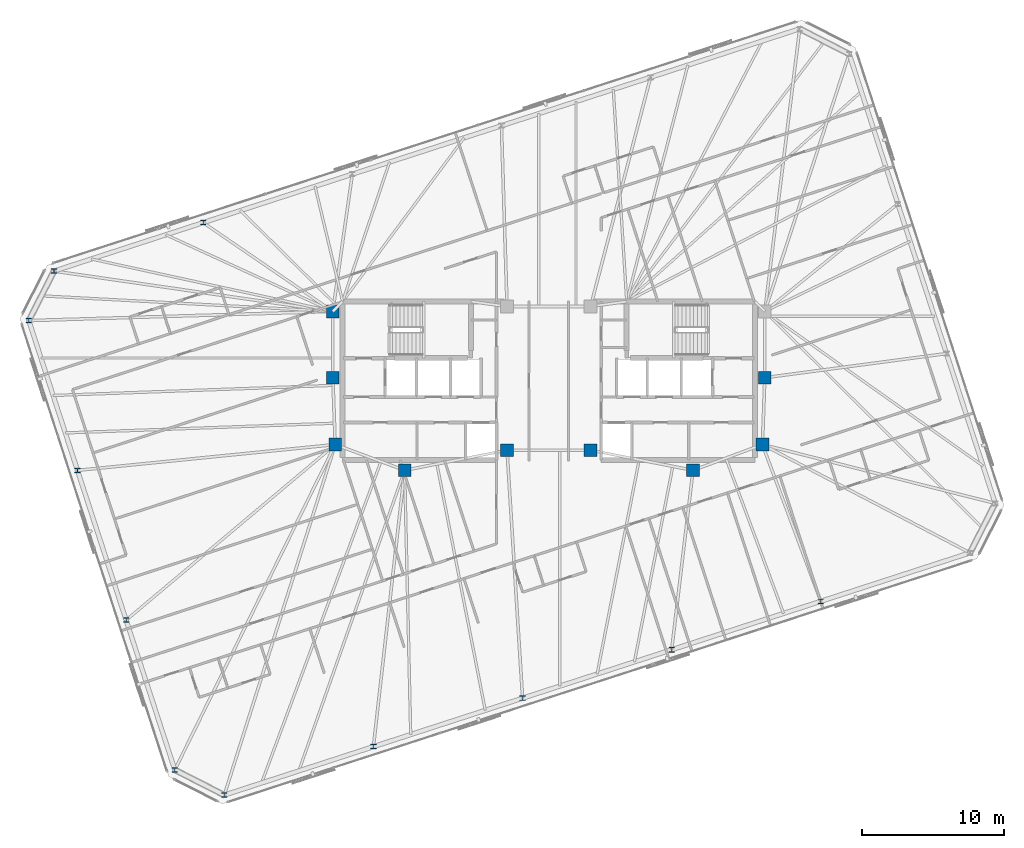
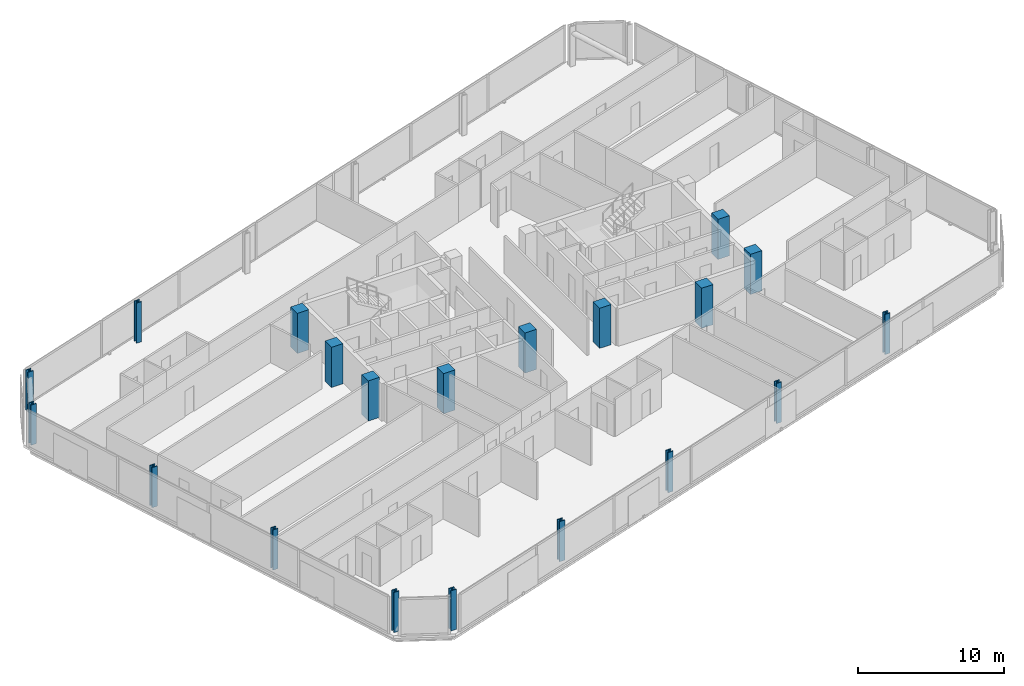
# One storey, part 1 of 19: 20 columns.
"""IFC4 building model written with IfcOpenShell, lengths in metres."""

from ifc_helpers import new_model, si_unit, direction, frame, origin, origin_2d, place, context, subcontext, project, spatial, rectangle, i_section, extrude, material, material_profile, profile_set, type_object, element, save


model = new_model("IFC4")

# Units and contexts
model_context = context("Model", 3, precision=1e-05, world=origin(), true_north=direction((0.0, 1.0)))
body_context = subcontext(model_context, "Body", "Model", "MODEL_VIEW")
ifc_project = project(units=[si_unit("LENGTHUNIT", "METRE"), si_unit("AREAUNIT", "SQUARE_METRE"), si_unit("VOLUMEUNIT", "CUBIC_METRE"), si_unit("PLANEANGLEUNIT", "RADIAN"), si_unit("MASSUNIT", "GRAM", prefix="KILO")], contexts=[model_context])

# Site, building, storey
site_placement = place(None, origin())
site = spatial("IfcSite", under=ifc_project, at=site_placement, CompositionType="ELEMENT")
building_placement = place(site_placement, origin())
building = spatial("IfcBuilding", under=site, at=building_placement, Name="Menara Jurai Vektor", CompositionType="ELEMENT")
storey_placement = place(building_placement, frame((0.0, 0.0, 214.25)))
storey = spatial("IfcBuildingStorey", under=building, at=storey_placement, Name="L56", CompositionType="ELEMENT", Elevation=214.25)

# Columns
ifc_material_1 = material(Name="Concrete C50/60", Category="concrete")
ifc_material_profile_1 = material_profile(ifc_material_1, rectangle(XDim=0.89990234375, YDim=0.89990234375, at=origin_2d()), Name="RC 900x900")
ifc_profile_set_1 = profile_set([ifc_material_profile_1], Name="Concrete C50/60")
column_type_1 = type_object("IfcColumnType", Name="STR-COL-RC900", PredefinedType="COLUMN", material=ifc_profile_set_1)
for number, where, z_axis, x_axis, name in (
    (1, (-15.25, 4.89990234375, 0.0), (0.0, 0.0, 1.0), (1.0, 0.0, 0.0), "Core Spine Column CW-NW L56"),
    (2, (-15.25, 0.219970703125, 0.0), (0.0, 0.0, 1.0), (1.0, 0.0, 0.0), "Core Spine Column CW-WM L56"),
    (3, (-15.080078125, -4.5, 0.0), (0.0, 0.0, 1.0), (1.0, 0.0, 0.0), "Core Spine Column CW-SW L56"),
    (4, (-10.179931640625, -6.320068359375, 0.0), (0.0, 0.0, 1.0), (1.0, 0.0, 0.0), "Core Spine Column CW-SM L56"),
    (5, (-2.949951171875, -4.89990234375, 0.0), (0.0, 0.0, 1.0), (1.0, 0.0, 0.0), "Core Spine Column CW-SE L56"),
    (6, (15.25, 0.219970703125, 0.0), (0.0, 0.0, 1.0), (1.0, 0.0, 0.0), "Core Spine Column CE-EM L56"),
    (7, (15.080078125, -4.5, 0.0), (0.0, 0.0, 1.0), (1.0, 0.0, 0.0), "Core Spine Column CE-SE L56"),
    (8, (10.179931640625, -6.320068359375, 0.0), (0.0, 0.0, 1.0), (1.0, 0.0, 0.0), "Core Spine Column CE-SM L56"),
    (9, (2.949951171875, -4.89990234375, 0.0), (0.0, 0.0, 1.0), (1.0, 0.0, 0.0), "Core Spine Column CE-SW L56"),
):
    element("IfcColumn", number, at=place(storey_placement, frame(where, z_axis=z_axis, x_axis=x_axis)), inside=storey, type_object=column_type_1, Name=name, PredefinedType="COLUMN", context=body_context, shape_type="SweptSolid", body=[
        extrude(rectangle(XDim=0.89990234375, YDim=0.89990234375, at=origin_2d()), origin(), (0.0, 0.0, 1.0), 3.35009765625),
    ])
ifc_material_2 = material(Name="Steel S460", Category="steel")
ifc_material_profile_2 = material_profile(ifc_material_2, i_section(OverallWidth=0.405029296875, OverallDepth=0.35498046875, WebThickness=0.0419921875, FlangeThickness=0.068115234375, FilletRadius=0.014892578125, at=origin_2d()), Name="HD 400x551")
ifc_profile_set_2 = profile_set([ifc_material_profile_2], Name="Steel S460")
column_type_2 = type_object("IfcColumnType", Name="STR-EXO-BLK4", PredefinedType="COLUMN", material=ifc_profile_set_2)
for number, where, z_axis, x_axis, name in (
    (10, (-22.912841796875, -29.2509765625, 0.0), (0.0, 0.0, 1.0), (1.0, 0.0, 0.0), "Exoskeleton Column BLK4-S1 L56"),
    (11, (-12.383544921875, -25.829833984375, 0.0), (0.0, 0.0, 1.0), (1.0, 0.0, 0.0), "Exoskeleton Column BLK4-S2 L56"),
    (12, (-1.854248046875, -22.40869140625, 0.0), (0.0, 0.0, 1.0), (1.0, 0.0, 0.0), "Exoskeleton Column BLK4-S3 L56"),
    (13, (8.675048828125, -18.987548828125, 0.0), (0.0, 0.0, 1.0), (1.0, 0.0, 0.0), "Exoskeleton Column BLK4-S4 L56"),
    (14, (19.204345703125, -15.56640625, 0.0), (0.0, 0.0, 1.0), (1.0, 0.0, 0.0), "Exoskeleton Column BLK4-S5 L56"),
    (15, (-24.404296875, 11.166259765625, 0.0), (0.0, 0.0, 1.0), (1.0, 0.0, 0.0), "Exoskeleton Column BLK4-N5 L56"),
    (16, (-34.93359375, 7.7451171875, 0.0), (0.0, 0.0, 1.0), (1.0, 0.0, 0.0), "Exoskeleton Column BLK4-N6 L56"),
    (17, (-36.71337890625, 4.251953125, 0.0), (0.0, 0.0, 1.0), (1.0, 0.0, 0.0), "Exoskeleton Column BLK4-W1 L56"),
    (18, (-33.277587890625, -6.322265625, 0.0), (0.0, 0.0, 1.0), (1.0, 0.0, 0.0), "Exoskeleton Column BLK4-W2 L56"),
    (19, (-29.841796875, -16.896728515625, 0.0), (0.0, 0.0, 1.0), (1.0, 0.0, 0.0), "Exoskeleton Column BLK4-W3 L56"),
    (20, (-26.406005859375, -27.47119140625, 0.0), (0.0, 0.0, 1.0), (1.0, 0.0, 0.0), "Exoskeleton Column BLK4-W4 L56"),
):
    element("IfcColumn", number, at=place(storey_placement, frame(where, z_axis=z_axis, x_axis=x_axis)), inside=storey, type_object=column_type_2, Name=name, PredefinedType="COLUMN", context=body_context, shape_type="SweptSolid", body=[
        extrude(i_section(OverallWidth=0.405029296875, OverallDepth=0.35498046875, WebThickness=0.0419921875, FlangeThickness=0.068115234375, FilletRadius=0.014892578125, at=origin_2d()), origin(), (0.0, 0.0, 1.0), 3.35009765625),
    ])

save(model, "model.ifc")
